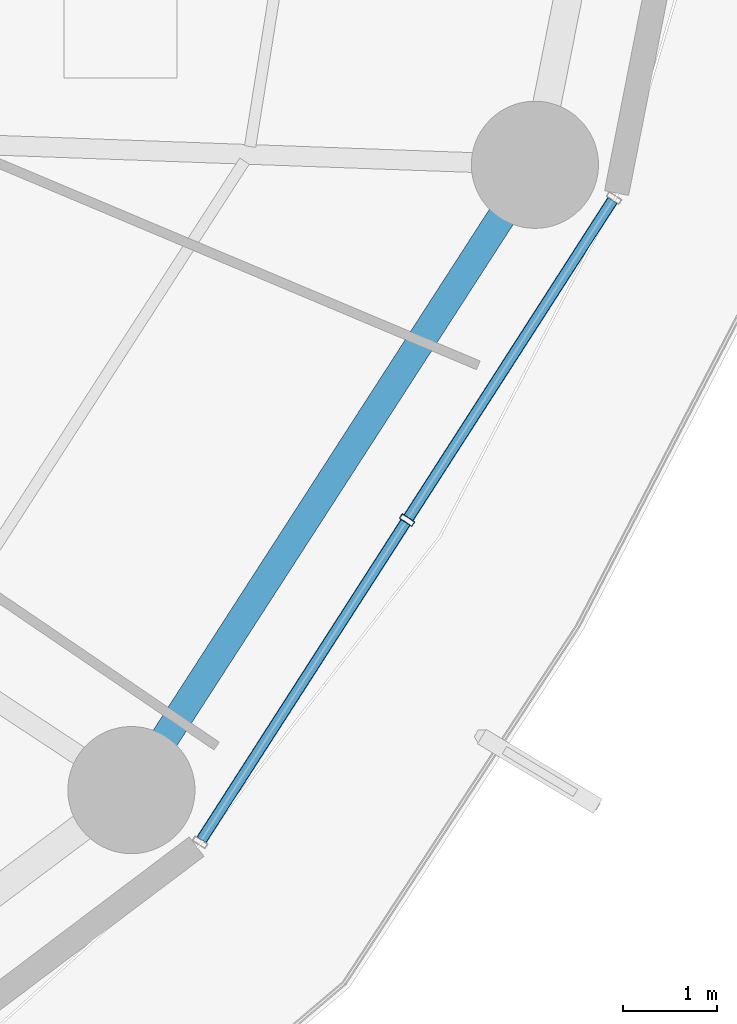
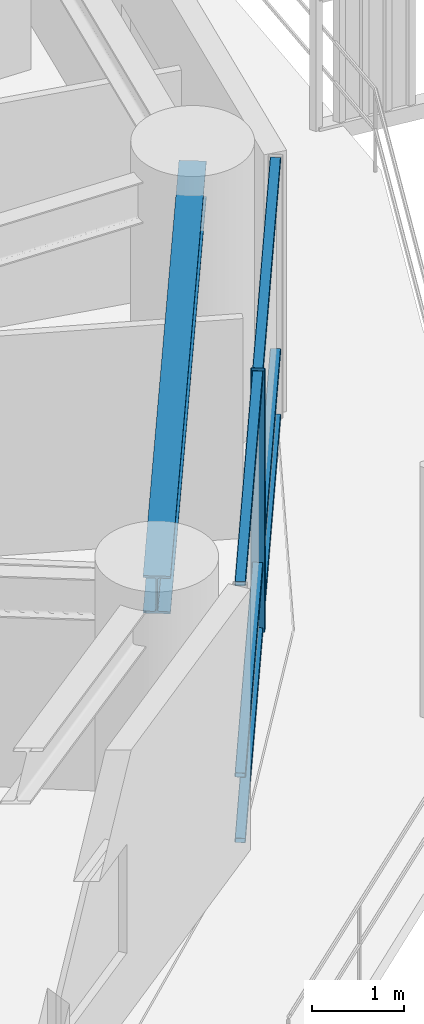
# One storey, part 11 of 33: 7 members, 1 beam, 1 element without a shape of its own.
"""IFC4 building model written with IfcOpenShell, lengths in metres."""

from ifc_helpers import new_model, si_unit, direction, frame, origin, origin_2d, place, context, subcontext, project, spatial, hollow_rectangle, i_section, extrude, material, layer, layer_set, material_profile, profile_set, type_object, element, aggregate, save


model = new_model("IFC4")

# Units and contexts
model_context = context("Model", 3, precision=1e-05, world=origin(), true_north=direction((0.0, 1.0)))
body_context = subcontext(model_context, "Body", "Model", "MODEL_VIEW")
ifc_project = project(units=[si_unit("LENGTHUNIT", "METRE"), si_unit("AREAUNIT", "SQUARE_METRE"), si_unit("VOLUMEUNIT", "CUBIC_METRE"), si_unit("PLANEANGLEUNIT", "RADIAN"), si_unit("MASSUNIT", "GRAM", prefix="KILO")], contexts=[model_context])

# Site, building, storey
site_placement = place(None, origin())
site = spatial("IfcSite", under=ifc_project, at=site_placement, CompositionType="ELEMENT")
building_placement = place(site_placement, origin())
building = spatial("IfcBuilding", under=site, at=building_placement, Name="Kelanora Arch Commons", CompositionType="ELEMENT")
storey_placement = place(building_placement, frame((0.0, 0.0, 80.10009765625)))
storey = spatial("IfcBuildingStorey", under=building, at=storey_placement, Name="L20", CompositionType="ELEMENT", Elevation=80.10009765625)

# Beam
ifc_material_1 = material(Name="Steel S355", Category="steel")
ifc_material_profile_1 = material_profile(ifc_material_1, i_section(OverallWidth=0.300048828125, OverallDepth=0.5, WebThickness=0.014404296875, FlangeThickness=0.028076171875, FilletRadius=0.027099609375, at=origin_2d()), Name="HEB500")
ifc_profile_set_1 = profile_set([ifc_material_profile_1], Name="Steel S355")
beam_type = type_object("IfcBeamType", Name="BM-SPN-Z2", PredefinedType="SPANDREL", material=ifc_profile_set_1)
beam_placement = place(storey_placement, frame((92.906005859375, 43.80712890625, 3.239990234375), z_axis=(0.542221144054, 0.840235818649, 0.0), x_axis=(-0.840235818649, 0.542221144054, 0.0)))
element("IfcBeam", 1, at=beam_placement, inside=storey, type_object=beam_type, Name="Perimeter Spandrel Beam BS-32 L20", PredefinedType="SPANDREL", context=body_context, shape_type="SweptSolid", body=[
    extrude(i_section(OverallWidth=0.300048828125, OverallDepth=0.5, WebThickness=0.014404296875, FlangeThickness=0.028076171875, FilletRadius=0.027099609375, at=origin_2d()), origin(), (0.0, 0.0, 1.0), 7.90380859375),
])

# Curtain wall, members
ifc_material_2 = material(Name="Terracotta ceramic-fritted low-E glass and aluminium", Category="masonry")
ifc_layer = layer(ifc_material_2, 0.159912109375)
ifc_layer_set = layer_set([ifc_layer], Name="Terracotta ceramic-fritted low-E glass and aluminium")
curtain_wall_type = type_object("IfcCurtainWallType", Name="CW-SYS-01", PredefinedType="NOTDEFINED", material=ifc_layer_set)
curtain_wall_placement = place(storey_placement, origin())
curtain_wall = element("IfcCurtainWall", 2, at=curtain_wall_placement, inside=storey, type_object=curtain_wall_type, Name="Unitised Curtain Wall L20-B16", PredefinedType="NOTDEFINED")
ifc_material_3 = material(Name="Powder-coated aluminium terracotta", Category="masonry")
ifc_material_profile_2 = material_profile(ifc_material_3, hollow_rectangle(XDim=0.159912109375, YDim=0.06005859375, WallThickness=0.0048828125, InnerFilletRadius=0.0048828125, OuterFilletRadius=0.010009765625, at=origin_2d()), Name="CWM160x60")
ifc_profile_set_2 = profile_set([ifc_material_profile_2], Name="Powder-coated aluminium terracotta")
member_type_1 = type_object("IfcMemberType", Name="CWM-STD", PredefinedType="MULLION", material=ifc_profile_set_2)
member_1_placement = place(storey_placement, frame((95.83349609375, 46.6748046875, 0.0), z_axis=(0.0, 0.0, 1.0), x_axis=(-0.841268883088, 0.540616931244, 0.0)))
member_1 = element("IfcMember", 3, at=member_1_placement, type_object=member_type_1, Name="CW-01 mullion 2", PredefinedType="MULLION", context=body_context, shape_type="SweptSolid", body=[
    extrude(hollow_rectangle(XDim=0.159912109375, YDim=0.06005859375, WallThickness=0.0048828125, InnerFilletRadius=0.0048828125, OuterFilletRadius=0.010009765625, at=origin_2d()), origin(), (0.0, 0.0, 1.0), 3.474853515625),
])
ifc_material_profile_3 = material_profile(ifc_material_3, hollow_rectangle(XDim=0.1201171875, YDim=0.06005859375, WallThickness=0.0048828125, InnerFilletRadius=0.0048828125, OuterFilletRadius=0.010009765625, at=origin_2d()), Name="CWT120x60")
ifc_profile_set_3 = profile_set([ifc_material_profile_3], Name="Powder-coated aluminium terracotta")
member_type_2 = type_object("IfcMemberType", Name="CWT-STD", PredefinedType="USERDEFINED", material=ifc_profile_set_3)
member_2_placement = place(storey_placement, frame((93.651123046875, 43.279052734375, 0.02978515625), z_axis=(0.540643629734, 0.841251725483, 0.0), x_axis=(-0.841251725483, 0.540643629734, 0.0)))
member_2 = element("IfcMember", 4, at=member_2_placement, type_object=member_type_2, Name="CW-01 transom 1.1", ObjectType="TRANSOM", PredefinedType="USERDEFINED", context=body_context, shape_type="SweptSolid", body=[
    extrude(hollow_rectangle(XDim=0.1201171875, YDim=0.06005859375, WallThickness=0.0048828125, InnerFilletRadius=0.0048828125, OuterFilletRadius=0.010009765625, at=origin_2d()), origin(), (0.0, 0.0, 1.0), 4.00634765625),
])
member_3_placement = place(storey_placement, frame((93.651123046875, 43.279052734375, 0.89990234375), z_axis=(0.540643629734, 0.841251725483, 0.0), x_axis=(-0.841251725483, 0.540643629734, 0.0)))
member_3 = element("IfcMember", 5, at=member_3_placement, type_object=member_type_2, Name="CW-01 transom 1.2", ObjectType="TRANSOM", PredefinedType="USERDEFINED", context=body_context, shape_type="SweptSolid", body=[
    extrude(hollow_rectangle(XDim=0.1201171875, YDim=0.06005859375, WallThickness=0.0048828125, InnerFilletRadius=0.0048828125, OuterFilletRadius=0.010009765625, at=origin_2d()), origin(), (0.0, 0.0, 1.0), 4.00634765625),
])
member_4_placement = place(storey_placement, frame((93.651123046875, 43.279052734375, 3.44482421875), z_axis=(0.540643629734, 0.841251725483, 0.0), x_axis=(-0.841251725483, 0.540643629734, 0.0)))
member_4 = element("IfcMember", 6, at=member_4_placement, type_object=member_type_2, Name="CW-01 transom 1.3", ObjectType="TRANSOM", PredefinedType="USERDEFINED", context=body_context, shape_type="SweptSolid", body=[
    extrude(hollow_rectangle(XDim=0.1201171875, YDim=0.06005859375, WallThickness=0.0048828125, InnerFilletRadius=0.0048828125, OuterFilletRadius=0.010009765625, at=origin_2d()), origin(), (0.0, 0.0, 1.0), 4.00634765625),
])
member_5_placement = place(storey_placement, frame((95.849609375, 46.699951171875, 0.02978515625), z_axis=(0.540643629734, 0.841251725483, 0.0), x_axis=(-0.841251725483, 0.540643629734, 0.0)))
member_5 = element("IfcMember", 7, at=member_5_placement, type_object=member_type_2, Name="CW-01 transom 2.1", ObjectType="TRANSOM", PredefinedType="USERDEFINED", context=body_context, shape_type="SweptSolid", body=[
    extrude(hollow_rectangle(XDim=0.1201171875, YDim=0.06005859375, WallThickness=0.0048828125, InnerFilletRadius=0.0048828125, OuterFilletRadius=0.010009765625, at=origin_2d()), origin(), (0.0, 0.0, 1.0), 4.00634765625),
])
member_6_placement = place(storey_placement, frame((95.849609375, 46.699951171875, 0.89990234375), z_axis=(0.540643629734, 0.841251725483, 0.0), x_axis=(-0.841251725483, 0.540643629734, 0.0)))
member_6 = element("IfcMember", 8, at=member_6_placement, type_object=member_type_2, Name="CW-01 transom 2.2", ObjectType="TRANSOM", PredefinedType="USERDEFINED", context=body_context, shape_type="SweptSolid", body=[
    extrude(hollow_rectangle(XDim=0.1201171875, YDim=0.06005859375, WallThickness=0.0048828125, InnerFilletRadius=0.0048828125, OuterFilletRadius=0.010009765625, at=origin_2d()), origin(), (0.0, 0.0, 1.0), 4.00634765625),
])
member_7_placement = place(storey_placement, frame((95.849609375, 46.699951171875, 3.44482421875), z_axis=(0.540643629734, 0.841251725483, 0.0), x_axis=(-0.841251725483, 0.540643629734, 0.0)))
member_7 = element("IfcMember", 9, at=member_7_placement, type_object=member_type_2, Name="CW-01 transom 2.3", ObjectType="TRANSOM", PredefinedType="USERDEFINED", context=body_context, shape_type="SweptSolid", body=[
    extrude(hollow_rectangle(XDim=0.1201171875, YDim=0.06005859375, WallThickness=0.0048828125, InnerFilletRadius=0.0048828125, OuterFilletRadius=0.010009765625, at=origin_2d()), origin(), (0.0, 0.0, 1.0), 4.00634765625),
])
aggregate(curtain_wall, [member_1, member_2, member_3, member_4, member_5, member_6, member_7])

save(model, "model.ifc")
